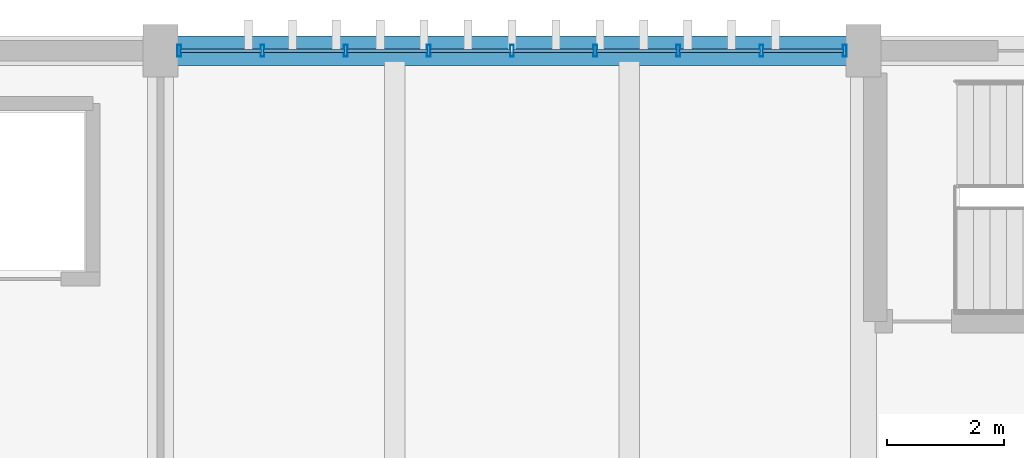
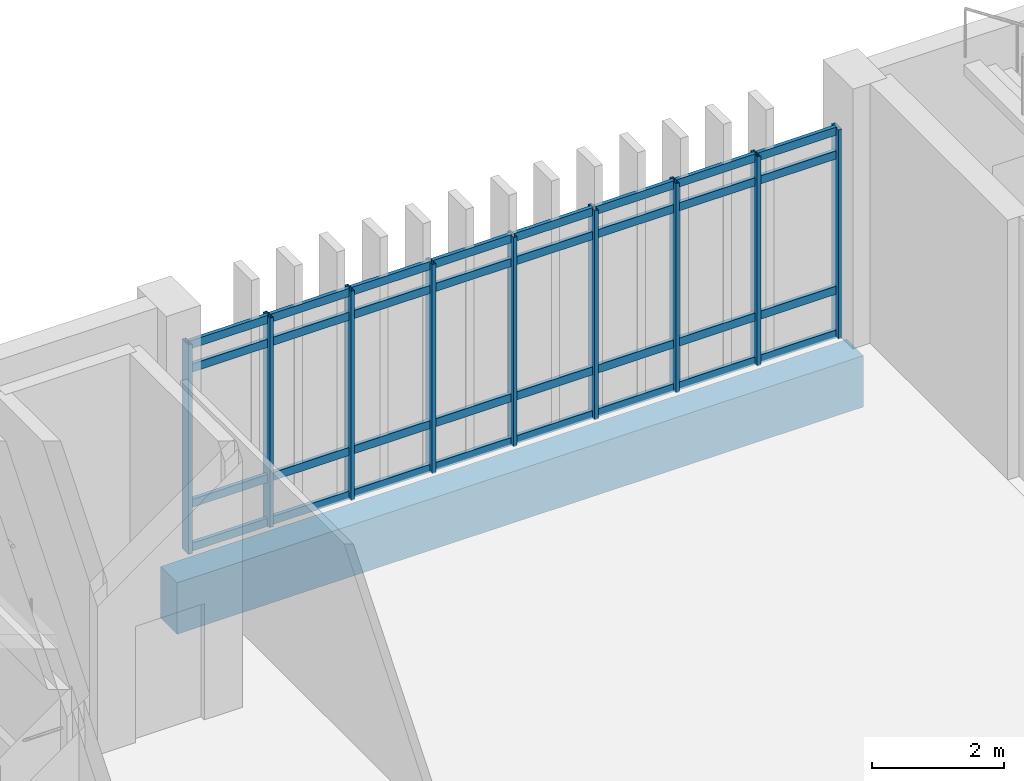
# One storey, part 49 of 87: 41 members, 1 beam, 1 element without a shape of its own.
"""IFC4 building model written with IfcOpenShell, lengths in metres."""

import ifcopenshell
import ifcopenshell.guid

model = None  # the IFC model being written
_history = None  # IfcOwnerHistory: only IFC2X3 demands one
_inside = {}  # id of a spatial element -> (the spatial element, [elements in it])
_under = {}  # id of a project, library or spatial element -> (it, [spatial elements below it])
_declared = {}  # id of a project -> (the project, [libraries it declares])
_typed = {}  # id of a type object -> (the type object, [elements of that type])
_made_of = {}  # id of a material, layer set ... -> (it, [elements and type objects made of it])


def new_model(schema):
    """Start an empty IFC model of exactly this schema.

    Asked for "IFC4X3", IfcOpenShell would pick the latest addendum, in which some entities
    have other attributes; the version numbers below select the first issue.
    IFC2X3 requires an IfcOwnerHistory on every rooted entity: one is made here for all.
    """
    global model, _history
    if schema == "IFC4X3":
        model = ifcopenshell.file(schema_version=(4, 3, 0, 0))
    else:
        model = ifcopenshell.file(schema=schema)
    _inside.clear()
    _under.clear()
    _declared.clear()
    _typed.clear()
    _made_of.clear()
    _history = None
    if model.schema == "IFC2X3":
        org = make("IfcOrganization", Name="unknown")
        user = make(
            "IfcPersonAndOrganization",
            ThePerson=make("IfcPerson", FamilyName="unknown"),
            TheOrganization=org,
        )
        app = make(
            "IfcApplication",
            ApplicationDeveloper=org,
            Version="unknown",
            ApplicationFullName="unknown",
            ApplicationIdentifier="unknown",
        )
        _history = make(
            "IfcOwnerHistory",
            OwningUser=user,
            OwningApplication=app,
            ChangeAction="ADDED",
            CreationDate=0,
        )
    return model


def make(cls, **values):
    """One entity of the class cls with the attributes given. An attribute that is None is left unset."""
    return model.create_entity(
        cls, **{name: value for name, value in values.items() if value is not None}
    )


def rooted(cls, **values):
    """An entity with a GlobalId (a new one), such as an element, a storey or a relation."""
    return make(cls, GlobalId=ifcopenshell.guid.new(), OwnerHistory=_history, **values)


def si_unit(unit_type, name, prefix=None):
    """IfcSIUnit, for example si_unit("LENGTHUNIT", "METRE", prefix="MILLI")."""
    return make("IfcSIUnit", UnitType=unit_type, Prefix=prefix, Name=name)


def assignment(units):
    """IfcUnitAssignment: the units of a project."""
    return None if units is None else make("IfcUnitAssignment", Units=units)


def point(xyz):
    """IfcCartesianPoint."""
    return None if xyz is None else make("IfcCartesianPoint", Coordinates=xyz)


def direction(xyz):
    """IfcDirection."""
    return None if xyz is None else make("IfcDirection", DirectionRatios=xyz)


def frame(location, z_axis=None, x_axis=None):
    """IfcAxis2Placement3D, a coordinate frame: its origin and axes. An axis left out is left unset."""
    return make(
        "IfcAxis2Placement3D",
        Location=point(location),
        Axis=direction(z_axis),
        RefDirection=direction(x_axis),
    )


def frame_2d(location, x_axis=None):
    """IfcAxis2Placement2D, a coordinate frame in the plane: its origin and x axis."""
    return make(
        "IfcAxis2Placement2D", Location=point(location), RefDirection=direction(x_axis)
    )


def origin():
    """The frame at (0, 0, 0) with its axes left unset."""
    return frame((0.0, 0.0, 0.0))


def origin_2d():
    """The frame at (0, 0) in the plane with its x axis left unset."""
    return frame_2d((0.0, 0.0))


def place(relative_to, where):
    """IfcLocalPlacement: puts the frame where relative to a parent placement (None: the world)."""
    return make(
        "IfcLocalPlacement", PlacementRelTo=relative_to, RelativePlacement=where
    )


def context(
    kind, dimensions, precision=None, world=None, true_north=None, identifier=None
):
    """IfcGeometricRepresentationContext, for example the 3D "Model" context."""
    return make(
        "IfcGeometricRepresentationContext",
        ContextIdentifier=identifier,
        ContextType=kind,
        CoordinateSpaceDimension=dimensions,
        Precision=precision,
        WorldCoordinateSystem=world,
        TrueNorth=true_north,
    )


def subcontext(parent, identifier, kind, view, scale=None):
    """IfcGeometricRepresentationSubContext, for example "Body" below "Model"."""
    return make(
        "IfcGeometricRepresentationSubContext",
        ContextIdentifier=identifier,
        ContextType=kind,
        ParentContext=parent,
        TargetScale=scale,
        TargetView=view,
    )


def project(units=None, contexts=None):
    """IfcProject with its units and contexts."""
    return rooted(
        "IfcProject",
        Name="project",
        RepresentationContexts=contexts,
        UnitsInContext=assignment(units),
    )


def spatial(cls, under=None, at=None, **own):
    """A site, building, storey or space (cls), placed at a placement, below another one or the project."""
    s = rooted(cls, ObjectPlacement=at, **own)
    if under is not None:
        _under.setdefault(under.id(), (under, []))[1].append(s)
    return s


def profile(cls, at=None, kind="AREA", **sizes):
    """A parametric profile (cls). Its sizes go by their IFC names, for example OverallWidth=200.0."""
    return make(cls, ProfileType=kind, Position=at, **sizes)


def rectangle(**sizes):
    """IfcRectangleProfileDef."""
    return profile("IfcRectangleProfileDef", **sizes)


def hollow_rectangle(**sizes):
    """IfcRectangleHollowProfileDef."""
    return profile("IfcRectangleHollowProfileDef", **sizes)


def extrude(swept, where, along, depth):
    """IfcExtrudedAreaSolid: the profile swept, set in the frame where, extruded along a direction by depth."""
    return make(
        "IfcExtrudedAreaSolid",
        SweptArea=swept,
        Position=where,
        ExtrudedDirection=direction(along),
        Depth=depth,
    )


def shape(context_of_items, identifier, shape_type, items):
    """IfcShapeRepresentation: the items that make up one representation, for example the "Body"."""
    return make(
        "IfcShapeRepresentation",
        ContextOfItems=context_of_items,
        RepresentationIdentifier=identifier,
        RepresentationType=shape_type,
        Items=items,
    )


def material(Name=None, Category=None):
    """IfcMaterial."""
    return make("IfcMaterial", Name=Name, Category=Category)


def layer(
    of_material, thickness, ventilated=None, Name=None, Category=None, Priority=None
):
    """IfcMaterialLayer: one layer of a wall or slab, of a material (None: an air gap)."""
    return make(
        "IfcMaterialLayer",
        Material=of_material,
        LayerThickness=thickness,
        IsVentilated=ventilated,
        Name=Name,
        Category=Category,
        Priority=Priority,
    )


def layer_set(layers, Name=None):
    """IfcMaterialLayerSet."""
    return make("IfcMaterialLayerSet", MaterialLayers=layers, LayerSetName=Name)


def material_profile(
    of_material, cross_section, Name=None, Category=None, Priority=None
):
    """IfcMaterialProfile: a cross section and its material."""
    return make(
        "IfcMaterialProfile",
        Name=Name,
        Material=of_material,
        Profile=cross_section,
        Priority=Priority,
        Category=Category,
    )


def profile_set(profiles, Name=None, composite=None):
    """IfcMaterialProfileSet."""
    return make(
        "IfcMaterialProfileSet",
        Name=Name,
        MaterialProfiles=profiles,
        CompositeProfile=composite,
    )


def made_of(thing, what):
    """Note that an element or type object is made of a material, layer set ...; save() writes the relation."""
    if what is not None:
        _made_of.setdefault(what.id(), (what, []))[1].append(thing)
    return thing


def type_object(cls, material=None, **own):
    """A type object (cls), such as IfcWallType, which elements share."""
    return made_of(rooted(cls, **own), material)


def element(
    cls,
    number,
    at=None,
    inside=None,
    cuts=None,
    type_object=None,
    material=None,
    context=None,
    identifier="Body",
    shape_type=None,
    held_by="IfcProductDefinitionShape",
    body=None,
    shapes=None,
    **own,
):
    """One element of the class cls, such as IfcWall. Its Tag is "e" and its number.

    at: its placement. inside: the storey or other place that contains it. cuts: it is an
    opening in that element (IfcRelVoidsElement). A single representation is given by context,
    identifier, shape_type and body (its items); several are given by shapes. held_by: the class
    of the entity that holds the representations. save() writes the other relations.
    """
    e = rooted(cls, Tag="e%d" % number, ObjectPlacement=at, **own)
    if body is not None:
        shapes = [shape(context, identifier, shape_type, body)]
    if shapes is not None:
        e.Representation = make(held_by, Representations=shapes)
    if inside is not None:
        _inside.setdefault(inside.id(), (inside, []))[1].append(e)
    if cuts is not None:
        rooted(
            "IfcRelVoidsElement", RelatingBuildingElement=cuts, RelatedOpeningElement=e
        )
    if type_object is not None:
        _typed.setdefault(type_object.id(), (type_object, []))[1].append(e)
    return made_of(e, material)


def aggregate(whole, parts):
    """IfcRelAggregates: a whole, such as a stair, and the parts it consists of."""
    return rooted("IfcRelAggregates", RelatingObject=whole, RelatedObjects=parts)


def save(model, path):
    """Write the relations noted so far, then the file.

    IfcRelAggregates (storeys below a building ...), IfcRelContainedInSpatialStructure (elements
    in a storey), IfcRelDefinesByType, IfcRelAssociatesMaterial and IfcRelDeclares: one each for
    every whole, place, type object, material and project.
    """
    for whole, parts in _under.values():
        aggregate(whole, parts)
    for where, things in _inside.values():
        rooted(
            "IfcRelContainedInSpatialStructure",
            RelatedElements=things,
            RelatingStructure=where,
        )
    for kind, things in _typed.values():
        rooted("IfcRelDefinesByType", RelatedObjects=things, RelatingType=kind)
    for what, things in _made_of.values():
        rooted("IfcRelAssociatesMaterial", RelatedObjects=things, RelatingMaterial=what)
    for by, libraries in _declared.values():
        rooted("IfcRelDeclares", RelatingContext=by, RelatedDefinitions=libraries)
    model.write(path)


model = new_model("IFC4")

# Units and contexts
model_context = context("Model", 3, precision=1e-05, world=origin(), true_north=direction((0.0, 1.0)))
body_context = subcontext(model_context, "Body", "Model", "MODEL_VIEW")
ifc_project = project(units=[si_unit("LENGTHUNIT", "METRE"), si_unit("AREAUNIT", "SQUARE_METRE"), si_unit("VOLUMEUNIT", "CUBIC_METRE"), si_unit("PLANEANGLEUNIT", "RADIAN"), si_unit("MASSUNIT", "GRAM", prefix="KILO")], contexts=[model_context])

# Site, building, storey
site_placement = place(None, origin())
site = spatial("IfcSite", under=ifc_project, at=site_placement, CompositionType="ELEMENT")
building_placement = place(site_placement, origin())
building = spatial("IfcBuilding", under=site, at=building_placement, Name="Mersad Railyard Sports Hall", CompositionType="ELEMENT")
storey_placement = place(building_placement, origin())
storey = spatial("IfcBuildingStorey", under=building, at=storey_placement, Name="L00", CompositionType="ELEMENT", Elevation=0.0)

# Curtain wall, members
ifc_material_1 = material(Name="Aluminium 6063-T6", Category="aluminium")
ifc_layer = layer(ifc_material_1, 0.199951171875)
ifc_layer_set = layer_set([ifc_layer], Name="Aluminium 6063-T6")
curtain_wall_type = type_object("IfcCurtainWallType", Name="ARC-CW-CW28", PredefinedType="USERDEFINED", material=ifc_layer_set)
curtain_wall_placement = place(storey_placement, origin())
curtain_wall = element("IfcCurtainWall", 1, at=curtain_wall_placement, inside=storey, type_object=curtain_wall_type, Name="Curtain wall CW28-0084", ObjectType="CURTAIN WALL", PredefinedType="USERDEFINED")
ifc_material_profile_1 = material_profile(ifc_material_1, hollow_rectangle(XDim=0.06494140625, YDim=0.199951171875, WallThickness=0.0048828125, at=origin_2d()), Name="AL MULLION 65x200x5")
ifc_profile_set_1 = profile_set([ifc_material_profile_1], Name="Aluminium 6063-T6")
member_type_1 = type_object("IfcMemberType", Name="ARC-CW-MUL02", PredefinedType="MULLION", material=ifc_profile_set_1)
member_1_placement = place(storey_placement, frame((79.320068359375, 115.0, -0.02001953125), z_axis=(0.0, 0.0, 1.0), x_axis=(1.0, 0.0, 0.0)))
member_1 = element("IfcMember", 2, at=member_1_placement, type_object=member_type_1, Name="CW28 Mullion 1", PredefinedType="MULLION", context=body_context, shape_type="SweptSolid", body=[
    extrude(hollow_rectangle(XDim=0.06494140625, YDim=0.199951171875, WallThickness=0.0048828125, at=origin_2d()), origin(), (0.0, 0.0, 1.0), 3.8701171875),
])
member_2_placement = place(storey_placement, frame((80.739990234375, 115.0, -0.02001953125), z_axis=(0.0, 0.0, 1.0), x_axis=(1.0, 0.0, 0.0)))
member_2 = element("IfcMember", 3, at=member_2_placement, type_object=member_type_1, Name="CW28 Mullion 2", PredefinedType="MULLION", context=body_context, shape_type="SweptSolid", body=[
    extrude(hollow_rectangle(XDim=0.06494140625, YDim=0.199951171875, WallThickness=0.0048828125, at=origin_2d()), origin(), (0.0, 0.0, 1.0), 3.8701171875),
])
member_3_placement = place(storey_placement, frame((82.159912109375, 115.0, -0.02001953125), z_axis=(0.0, 0.0, 1.0), x_axis=(1.0, 0.0, 0.0)))
member_3 = element("IfcMember", 4, at=member_3_placement, type_object=member_type_1, Name="CW28 Mullion 3", PredefinedType="MULLION", context=body_context, shape_type="SweptSolid", body=[
    extrude(hollow_rectangle(XDim=0.06494140625, YDim=0.199951171875, WallThickness=0.0048828125, at=origin_2d()), origin(), (0.0, 0.0, 1.0), 3.8701171875),
])
member_4_placement = place(storey_placement, frame((83.580078125, 115.0, -0.02001953125), z_axis=(0.0, 0.0, 1.0), x_axis=(1.0, 0.0, 0.0)))
member_4 = element("IfcMember", 5, at=member_4_placement, type_object=member_type_1, Name="CW28 Mullion 4", PredefinedType="MULLION", context=body_context, shape_type="SweptSolid", body=[
    extrude(hollow_rectangle(XDim=0.06494140625, YDim=0.199951171875, WallThickness=0.0048828125, at=origin_2d()), origin(), (0.0, 0.0, 1.0), 3.8701171875),
])
member_5_placement = place(storey_placement, frame((85.0, 115.0, -0.02001953125), z_axis=(0.0, 0.0, 1.0), x_axis=(1.0, 0.0, 0.0)))
member_5 = element("IfcMember", 6, at=member_5_placement, type_object=member_type_1, Name="CW28 Mullion 5", PredefinedType="MULLION", context=body_context, shape_type="SweptSolid", body=[
    extrude(hollow_rectangle(XDim=0.06494140625, YDim=0.199951171875, WallThickness=0.0048828125, at=origin_2d()), origin(), (0.0, 0.0, 1.0), 3.8701171875),
])
member_6_placement = place(storey_placement, frame((86.419921875, 115.0, -0.02001953125), z_axis=(0.0, 0.0, 1.0), x_axis=(1.0, 0.0, 0.0)))
member_6 = element("IfcMember", 7, at=member_6_placement, type_object=member_type_1, Name="CW28 Mullion 6", PredefinedType="MULLION", context=body_context, shape_type="SweptSolid", body=[
    extrude(hollow_rectangle(XDim=0.06494140625, YDim=0.199951171875, WallThickness=0.0048828125, at=origin_2d()), origin(), (0.0, 0.0, 1.0), 3.8701171875),
])
member_7_placement = place(storey_placement, frame((87.840087890625, 115.0, -0.02001953125), z_axis=(0.0, 0.0, 1.0), x_axis=(1.0, 0.0, 0.0)))
member_7 = element("IfcMember", 8, at=member_7_placement, type_object=member_type_1, Name="CW28 Mullion 7", PredefinedType="MULLION", context=body_context, shape_type="SweptSolid", body=[
    extrude(hollow_rectangle(XDim=0.06494140625, YDim=0.199951171875, WallThickness=0.0048828125, at=origin_2d()), origin(), (0.0, 0.0, 1.0), 3.8701171875),
])
member_8_placement = place(storey_placement, frame((89.260009765625, 115.0, -0.02001953125), z_axis=(0.0, 0.0, 1.0), x_axis=(1.0, 0.0, 0.0)))
member_8 = element("IfcMember", 9, at=member_8_placement, type_object=member_type_1, Name="CW28 Mullion 8", PredefinedType="MULLION", context=body_context, shape_type="SweptSolid", body=[
    extrude(hollow_rectangle(XDim=0.06494140625, YDim=0.199951171875, WallThickness=0.0048828125, at=origin_2d()), origin(), (0.0, 0.0, 1.0), 3.8701171875),
])
member_9_placement = place(storey_placement, frame((90.679931640625, 115.0, -0.02001953125), z_axis=(0.0, 0.0, 1.0), x_axis=(1.0, 0.0, 0.0)))
member_9 = element("IfcMember", 10, at=member_9_placement, type_object=member_type_1, Name="CW28 Mullion 9", PredefinedType="MULLION", context=body_context, shape_type="SweptSolid", body=[
    extrude(hollow_rectangle(XDim=0.06494140625, YDim=0.199951171875, WallThickness=0.0048828125, at=origin_2d()), origin(), (0.0, 0.0, 1.0), 3.8701171875),
])
ifc_material_profile_2 = material_profile(ifc_material_1, hollow_rectangle(XDim=0.06494140625, YDim=0.14990234375, WallThickness=0.00439453125, at=origin_2d()), Name="AL TRANSOM 65x150x4.5")
ifc_profile_set_2 = profile_set([ifc_material_profile_2], Name="Aluminium 6063-T6")
member_type_2 = type_object("IfcMemberType", Name="ARC-CW-TRN02", PredefinedType="USERDEFINED", material=ifc_profile_set_2)
member_10_placement = place(storey_placement, frame((79.340087890625, 115.0, 0.0400390625), z_axis=(1.0, 0.0, 0.0), x_axis=(0.0, 1.0, 0.0)))
member_10 = element("IfcMember", 11, at=member_10_placement, type_object=member_type_2, Name="CW28 Transom 1-1", ObjectType="TRANSOM", PredefinedType="USERDEFINED", context=body_context, shape_type="SweptSolid", body=[
    extrude(hollow_rectangle(XDim=0.06494140625, YDim=0.14990234375, WallThickness=0.00439453125, at=origin_2d()), origin(), (0.0, 0.0, 1.0), 1.3798828125),
])
member_11_placement = place(storey_placement, frame((80.760009765625, 115.0, 0.0400390625), z_axis=(1.0, 0.0, 0.0), x_axis=(0.0, 1.0, 0.0)))
member_11 = element("IfcMember", 12, at=member_11_placement, type_object=member_type_2, Name="CW28 Transom 1-2", ObjectType="TRANSOM", PredefinedType="USERDEFINED", context=body_context, shape_type="SweptSolid", body=[
    extrude(hollow_rectangle(XDim=0.06494140625, YDim=0.14990234375, WallThickness=0.00439453125, at=origin_2d()), origin(), (0.0, 0.0, 1.0), 1.3798828125),
])
member_12_placement = place(storey_placement, frame((82.179931640625, 115.0, 0.0400390625), z_axis=(1.0, 0.0, 0.0), x_axis=(0.0, 1.0, 0.0)))
member_12 = element("IfcMember", 13, at=member_12_placement, type_object=member_type_2, Name="CW28 Transom 1-3", ObjectType="TRANSOM", PredefinedType="USERDEFINED", context=body_context, shape_type="SweptSolid", body=[
    extrude(hollow_rectangle(XDim=0.06494140625, YDim=0.14990234375, WallThickness=0.00439453125, at=origin_2d()), origin(), (0.0, 0.0, 1.0), 1.380126953125),
])
member_13_placement = place(storey_placement, frame((83.60009765625, 115.0, 0.0400390625), z_axis=(1.0, 0.0, 0.0), x_axis=(0.0, 1.0, 0.0)))
member_13 = element("IfcMember", 14, at=member_13_placement, type_object=member_type_2, Name="CW28 Transom 1-4", ObjectType="TRANSOM", PredefinedType="USERDEFINED", context=body_context, shape_type="SweptSolid", body=[
    extrude(hollow_rectangle(XDim=0.06494140625, YDim=0.14990234375, WallThickness=0.00439453125, at=origin_2d()), origin(), (0.0, 0.0, 1.0), 1.3798828125),
])
member_14_placement = place(storey_placement, frame((85.02001953125, 115.0, 0.0400390625), z_axis=(1.0, 0.0, 0.0), x_axis=(0.0, 1.0, 0.0)))
member_14 = element("IfcMember", 15, at=member_14_placement, type_object=member_type_2, Name="CW28 Transom 1-5", ObjectType="TRANSOM", PredefinedType="USERDEFINED", context=body_context, shape_type="SweptSolid", body=[
    extrude(hollow_rectangle(XDim=0.06494140625, YDim=0.14990234375, WallThickness=0.00439453125, at=origin_2d()), origin(), (0.0, 0.0, 1.0), 1.3798828125),
])
member_15_placement = place(storey_placement, frame((86.43994140625, 115.0, 0.0400390625), z_axis=(1.0, 0.0, 0.0), x_axis=(0.0, 1.0, 0.0)))
member_15 = element("IfcMember", 16, at=member_15_placement, type_object=member_type_2, Name="CW28 Transom 1-6", ObjectType="TRANSOM", PredefinedType="USERDEFINED", context=body_context, shape_type="SweptSolid", body=[
    extrude(hollow_rectangle(XDim=0.06494140625, YDim=0.14990234375, WallThickness=0.00439453125, at=origin_2d()), origin(), (0.0, 0.0, 1.0), 1.380126953125),
])
member_16_placement = place(storey_placement, frame((87.860107421875, 115.0, 0.0400390625), z_axis=(1.0, 0.0, 0.0), x_axis=(0.0, 1.0, 0.0)))
member_16 = element("IfcMember", 17, at=member_16_placement, type_object=member_type_2, Name="CW28 Transom 1-7", ObjectType="TRANSOM", PredefinedType="USERDEFINED", context=body_context, shape_type="SweptSolid", body=[
    extrude(hollow_rectangle(XDim=0.06494140625, YDim=0.14990234375, WallThickness=0.00439453125, at=origin_2d()), origin(), (0.0, 0.0, 1.0), 1.3798828125),
])
member_17_placement = place(storey_placement, frame((89.280029296875, 115.0, 0.0400390625), z_axis=(1.0, 0.0, 0.0), x_axis=(0.0, 1.0, 0.0)))
member_17 = element("IfcMember", 18, at=member_17_placement, type_object=member_type_2, Name="CW28 Transom 1-8", ObjectType="TRANSOM", PredefinedType="USERDEFINED", context=body_context, shape_type="SweptSolid", body=[
    extrude(hollow_rectangle(XDim=0.06494140625, YDim=0.14990234375, WallThickness=0.00439453125, at=origin_2d()), origin(), (0.0, 0.0, 1.0), 1.3798828125),
])
member_18_placement = place(storey_placement, frame((79.340087890625, 115.0, 0.85009765625), z_axis=(1.0, 0.0, 0.0), x_axis=(0.0, 1.0, 0.0)))
member_18 = element("IfcMember", 19, at=member_18_placement, type_object=member_type_2, Name="CW28 Transom 2-1", ObjectType="TRANSOM", PredefinedType="USERDEFINED", context=body_context, shape_type="SweptSolid", body=[
    extrude(hollow_rectangle(XDim=0.06494140625, YDim=0.14990234375, WallThickness=0.00439453125, at=origin_2d()), origin(), (0.0, 0.0, 1.0), 1.3798828125),
])
member_19_placement = place(storey_placement, frame((80.760009765625, 115.0, 0.85009765625), z_axis=(1.0, 0.0, 0.0), x_axis=(0.0, 1.0, 0.0)))
member_19 = element("IfcMember", 20, at=member_19_placement, type_object=member_type_2, Name="CW28 Transom 2-2", ObjectType="TRANSOM", PredefinedType="USERDEFINED", context=body_context, shape_type="SweptSolid", body=[
    extrude(hollow_rectangle(XDim=0.06494140625, YDim=0.14990234375, WallThickness=0.00439453125, at=origin_2d()), origin(), (0.0, 0.0, 1.0), 1.3798828125),
])
member_20_placement = place(storey_placement, frame((82.179931640625, 115.0, 0.85009765625), z_axis=(1.0, 0.0, 0.0), x_axis=(0.0, 1.0, 0.0)))
member_20 = element("IfcMember", 21, at=member_20_placement, type_object=member_type_2, Name="CW28 Transom 2-3", ObjectType="TRANSOM", PredefinedType="USERDEFINED", context=body_context, shape_type="SweptSolid", body=[
    extrude(hollow_rectangle(XDim=0.06494140625, YDim=0.14990234375, WallThickness=0.00439453125, at=origin_2d()), origin(), (0.0, 0.0, 1.0), 1.380126953125),
])
member_21_placement = place(storey_placement, frame((83.60009765625, 115.0, 0.85009765625), z_axis=(1.0, 0.0, 0.0), x_axis=(0.0, 1.0, 0.0)))
member_21 = element("IfcMember", 22, at=member_21_placement, type_object=member_type_2, Name="CW28 Transom 2-4", ObjectType="TRANSOM", PredefinedType="USERDEFINED", context=body_context, shape_type="SweptSolid", body=[
    extrude(hollow_rectangle(XDim=0.06494140625, YDim=0.14990234375, WallThickness=0.00439453125, at=origin_2d()), origin(), (0.0, 0.0, 1.0), 1.3798828125),
])
member_22_placement = place(storey_placement, frame((85.02001953125, 115.0, 0.85009765625), z_axis=(1.0, 0.0, 0.0), x_axis=(0.0, 1.0, 0.0)))
member_22 = element("IfcMember", 23, at=member_22_placement, type_object=member_type_2, Name="CW28 Transom 2-5", ObjectType="TRANSOM", PredefinedType="USERDEFINED", context=body_context, shape_type="SweptSolid", body=[
    extrude(hollow_rectangle(XDim=0.06494140625, YDim=0.14990234375, WallThickness=0.00439453125, at=origin_2d()), origin(), (0.0, 0.0, 1.0), 1.3798828125),
])
member_23_placement = place(storey_placement, frame((86.43994140625, 115.0, 0.85009765625), z_axis=(1.0, 0.0, 0.0), x_axis=(0.0, 1.0, 0.0)))
member_23 = element("IfcMember", 24, at=member_23_placement, type_object=member_type_2, Name="CW28 Transom 2-6", ObjectType="TRANSOM", PredefinedType="USERDEFINED", context=body_context, shape_type="SweptSolid", body=[
    extrude(hollow_rectangle(XDim=0.06494140625, YDim=0.14990234375, WallThickness=0.00439453125, at=origin_2d()), origin(), (0.0, 0.0, 1.0), 1.380126953125),
])
member_24_placement = place(storey_placement, frame((87.860107421875, 115.0, 0.85009765625), z_axis=(1.0, 0.0, 0.0), x_axis=(0.0, 1.0, 0.0)))
member_24 = element("IfcMember", 25, at=member_24_placement, type_object=member_type_2, Name="CW28 Transom 2-7", ObjectType="TRANSOM", PredefinedType="USERDEFINED", context=body_context, shape_type="SweptSolid", body=[
    extrude(hollow_rectangle(XDim=0.06494140625, YDim=0.14990234375, WallThickness=0.00439453125, at=origin_2d()), origin(), (0.0, 0.0, 1.0), 1.3798828125),
])
member_25_placement = place(storey_placement, frame((89.280029296875, 115.0, 0.85009765625), z_axis=(1.0, 0.0, 0.0), x_axis=(0.0, 1.0, 0.0)))
member_25 = element("IfcMember", 26, at=member_25_placement, type_object=member_type_2, Name="CW28 Transom 2-8", ObjectType="TRANSOM", PredefinedType="USERDEFINED", context=body_context, shape_type="SweptSolid", body=[
    extrude(hollow_rectangle(XDim=0.06494140625, YDim=0.14990234375, WallThickness=0.00439453125, at=origin_2d()), origin(), (0.0, 0.0, 1.0), 1.3798828125),
])
member_26_placement = place(storey_placement, frame((79.340087890625, 115.0, 3.35009765625), z_axis=(1.0, 0.0, 0.0), x_axis=(0.0, 1.0, 0.0)))
member_26 = element("IfcMember", 27, at=member_26_placement, type_object=member_type_2, Name="CW28 Transom 3-1", ObjectType="TRANSOM", PredefinedType="USERDEFINED", context=body_context, shape_type="SweptSolid", body=[
    extrude(hollow_rectangle(XDim=0.06494140625, YDim=0.14990234375, WallThickness=0.00439453125, at=origin_2d()), origin(), (0.0, 0.0, 1.0), 1.3798828125),
])
member_27_placement = place(storey_placement, frame((80.760009765625, 115.0, 3.35009765625), z_axis=(1.0, 0.0, 0.0), x_axis=(0.0, 1.0, 0.0)))
member_27 = element("IfcMember", 28, at=member_27_placement, type_object=member_type_2, Name="CW28 Transom 3-2", ObjectType="TRANSOM", PredefinedType="USERDEFINED", context=body_context, shape_type="SweptSolid", body=[
    extrude(hollow_rectangle(XDim=0.06494140625, YDim=0.14990234375, WallThickness=0.00439453125, at=origin_2d()), origin(), (0.0, 0.0, 1.0), 1.3798828125),
])
member_28_placement = place(storey_placement, frame((82.179931640625, 115.0, 3.35009765625), z_axis=(1.0, 0.0, 0.0), x_axis=(0.0, 1.0, 0.0)))
member_28 = element("IfcMember", 29, at=member_28_placement, type_object=member_type_2, Name="CW28 Transom 3-3", ObjectType="TRANSOM", PredefinedType="USERDEFINED", context=body_context, shape_type="SweptSolid", body=[
    extrude(hollow_rectangle(XDim=0.06494140625, YDim=0.14990234375, WallThickness=0.00439453125, at=origin_2d()), origin(), (0.0, 0.0, 1.0), 1.380126953125),
])
member_29_placement = place(storey_placement, frame((83.60009765625, 115.0, 3.35009765625), z_axis=(1.0, 0.0, 0.0), x_axis=(0.0, 1.0, 0.0)))
member_29 = element("IfcMember", 30, at=member_29_placement, type_object=member_type_2, Name="CW28 Transom 3-4", ObjectType="TRANSOM", PredefinedType="USERDEFINED", context=body_context, shape_type="SweptSolid", body=[
    extrude(hollow_rectangle(XDim=0.06494140625, YDim=0.14990234375, WallThickness=0.00439453125, at=origin_2d()), origin(), (0.0, 0.0, 1.0), 1.3798828125),
])
member_30_placement = place(storey_placement, frame((85.02001953125, 115.0, 3.35009765625), z_axis=(1.0, 0.0, 0.0), x_axis=(0.0, 1.0, 0.0)))
member_30 = element("IfcMember", 31, at=member_30_placement, type_object=member_type_2, Name="CW28 Transom 3-5", ObjectType="TRANSOM", PredefinedType="USERDEFINED", context=body_context, shape_type="SweptSolid", body=[
    extrude(hollow_rectangle(XDim=0.06494140625, YDim=0.14990234375, WallThickness=0.00439453125, at=origin_2d()), origin(), (0.0, 0.0, 1.0), 1.3798828125),
])
member_31_placement = place(storey_placement, frame((86.43994140625, 115.0, 3.35009765625), z_axis=(1.0, 0.0, 0.0), x_axis=(0.0, 1.0, 0.0)))
member_31 = element("IfcMember", 32, at=member_31_placement, type_object=member_type_2, Name="CW28 Transom 3-6", ObjectType="TRANSOM", PredefinedType="USERDEFINED", context=body_context, shape_type="SweptSolid", body=[
    extrude(hollow_rectangle(XDim=0.06494140625, YDim=0.14990234375, WallThickness=0.00439453125, at=origin_2d()), origin(), (0.0, 0.0, 1.0), 1.380126953125),
])
member_32_placement = place(storey_placement, frame((87.860107421875, 115.0, 3.35009765625), z_axis=(1.0, 0.0, 0.0), x_axis=(0.0, 1.0, 0.0)))
member_32 = element("IfcMember", 33, at=member_32_placement, type_object=member_type_2, Name="CW28 Transom 3-7", ObjectType="TRANSOM", PredefinedType="USERDEFINED", context=body_context, shape_type="SweptSolid", body=[
    extrude(hollow_rectangle(XDim=0.06494140625, YDim=0.14990234375, WallThickness=0.00439453125, at=origin_2d()), origin(), (0.0, 0.0, 1.0), 1.3798828125),
])
member_33_placement = place(storey_placement, frame((89.280029296875, 115.0, 3.35009765625), z_axis=(1.0, 0.0, 0.0), x_axis=(0.0, 1.0, 0.0)))
member_33 = element("IfcMember", 34, at=member_33_placement, type_object=member_type_2, Name="CW28 Transom 3-8", ObjectType="TRANSOM", PredefinedType="USERDEFINED", context=body_context, shape_type="SweptSolid", body=[
    extrude(hollow_rectangle(XDim=0.06494140625, YDim=0.14990234375, WallThickness=0.00439453125, at=origin_2d()), origin(), (0.0, 0.0, 1.0), 1.3798828125),
])
member_34_placement = place(storey_placement, frame((79.340087890625, 115.0, 3.7900390625), z_axis=(1.0, 0.0, 0.0), x_axis=(0.0, 1.0, 0.0)))
member_34 = element("IfcMember", 35, at=member_34_placement, type_object=member_type_2, Name="CW28 Transom 4-1", ObjectType="TRANSOM", PredefinedType="USERDEFINED", context=body_context, shape_type="SweptSolid", body=[
    extrude(hollow_rectangle(XDim=0.06494140625, YDim=0.14990234375, WallThickness=0.00439453125, at=origin_2d()), origin(), (0.0, 0.0, 1.0), 1.3798828125),
])
member_35_placement = place(storey_placement, frame((80.760009765625, 115.0, 3.7900390625), z_axis=(1.0, 0.0, 0.0), x_axis=(0.0, 1.0, 0.0)))
member_35 = element("IfcMember", 36, at=member_35_placement, type_object=member_type_2, Name="CW28 Transom 4-2", ObjectType="TRANSOM", PredefinedType="USERDEFINED", context=body_context, shape_type="SweptSolid", body=[
    extrude(hollow_rectangle(XDim=0.06494140625, YDim=0.14990234375, WallThickness=0.00439453125, at=origin_2d()), origin(), (0.0, 0.0, 1.0), 1.3798828125),
])
member_36_placement = place(storey_placement, frame((82.179931640625, 115.0, 3.7900390625), z_axis=(1.0, 0.0, 0.0), x_axis=(0.0, 1.0, 0.0)))
member_36 = element("IfcMember", 37, at=member_36_placement, type_object=member_type_2, Name="CW28 Transom 4-3", ObjectType="TRANSOM", PredefinedType="USERDEFINED", context=body_context, shape_type="SweptSolid", body=[
    extrude(hollow_rectangle(XDim=0.06494140625, YDim=0.14990234375, WallThickness=0.00439453125, at=origin_2d()), origin(), (0.0, 0.0, 1.0), 1.380126953125),
])
member_37_placement = place(storey_placement, frame((83.60009765625, 115.0, 3.7900390625), z_axis=(1.0, 0.0, 0.0), x_axis=(0.0, 1.0, 0.0)))
member_37 = element("IfcMember", 38, at=member_37_placement, type_object=member_type_2, Name="CW28 Transom 4-4", ObjectType="TRANSOM", PredefinedType="USERDEFINED", context=body_context, shape_type="SweptSolid", body=[
    extrude(hollow_rectangle(XDim=0.06494140625, YDim=0.14990234375, WallThickness=0.00439453125, at=origin_2d()), origin(), (0.0, 0.0, 1.0), 1.3798828125),
])
member_38_placement = place(storey_placement, frame((85.02001953125, 115.0, 3.7900390625), z_axis=(1.0, 0.0, 0.0), x_axis=(0.0, 1.0, 0.0)))
member_38 = element("IfcMember", 39, at=member_38_placement, type_object=member_type_2, Name="CW28 Transom 4-5", ObjectType="TRANSOM", PredefinedType="USERDEFINED", context=body_context, shape_type="SweptSolid", body=[
    extrude(hollow_rectangle(XDim=0.06494140625, YDim=0.14990234375, WallThickness=0.00439453125, at=origin_2d()), origin(), (0.0, 0.0, 1.0), 1.3798828125),
])
member_39_placement = place(storey_placement, frame((86.43994140625, 115.0, 3.7900390625), z_axis=(1.0, 0.0, 0.0), x_axis=(0.0, 1.0, 0.0)))
member_39 = element("IfcMember", 40, at=member_39_placement, type_object=member_type_2, Name="CW28 Transom 4-6", ObjectType="TRANSOM", PredefinedType="USERDEFINED", context=body_context, shape_type="SweptSolid", body=[
    extrude(hollow_rectangle(XDim=0.06494140625, YDim=0.14990234375, WallThickness=0.00439453125, at=origin_2d()), origin(), (0.0, 0.0, 1.0), 1.380126953125),
])
member_40_placement = place(storey_placement, frame((87.860107421875, 115.0, 3.7900390625), z_axis=(1.0, 0.0, 0.0), x_axis=(0.0, 1.0, 0.0)))
member_40 = element("IfcMember", 41, at=member_40_placement, type_object=member_type_2, Name="CW28 Transom 4-7", ObjectType="TRANSOM", PredefinedType="USERDEFINED", context=body_context, shape_type="SweptSolid", body=[
    extrude(hollow_rectangle(XDim=0.06494140625, YDim=0.14990234375, WallThickness=0.00439453125, at=origin_2d()), origin(), (0.0, 0.0, 1.0), 1.3798828125),
])
member_41_placement = place(storey_placement, frame((89.280029296875, 115.0, 3.7900390625), z_axis=(1.0, 0.0, 0.0), x_axis=(0.0, 1.0, 0.0)))
member_41 = element("IfcMember", 42, at=member_41_placement, type_object=member_type_2, Name="CW28 Transom 4-8", ObjectType="TRANSOM", PredefinedType="USERDEFINED", context=body_context, shape_type="SweptSolid", body=[
    extrude(hollow_rectangle(XDim=0.06494140625, YDim=0.14990234375, WallThickness=0.00439453125, at=origin_2d()), origin(), (0.0, 0.0, 1.0), 1.3798828125),
])
aggregate(curtain_wall, [member_1, member_2, member_3, member_4, member_5, member_6, member_7, member_8, member_9, member_10, member_11, member_12, member_13, member_14, member_15, member_16, member_17, member_18, member_19, member_20, member_21, member_22, member_23, member_24, member_25, member_26, member_27, member_28, member_29, member_30, member_31, member_32, member_33, member_34, member_35, member_36, member_37, member_38, member_39, member_40, member_41])

# Beam
ifc_material_2 = material(Name="Concrete C50/60", Category="concrete")
ifc_material_profile_3 = material_profile(ifc_material_2, rectangle(XDim=0.5, YDim=0.949951171875, at=origin_2d()), Name="RC 500x950")
ifc_profile_set_3 = profile_set([ifc_material_profile_3], Name="Concrete C50/60")
beam_type = type_object("IfcBeamType", Name="STR-BM-B03", PredefinedType="BEAM", material=ifc_profile_set_3)
beam_placement = place(storey_placement, frame((79.0, 115.0, -0.824951171875), z_axis=(1.0, 0.0, 0.0), x_axis=(0.0, 1.0, 0.0)))
element("IfcBeam", 43, at=beam_placement, inside=storey, type_object=beam_type, Name="Beam B03-0169", PredefinedType="BEAM", context=body_context, shape_type="SweptSolid", body=[
    extrude(rectangle(XDim=0.5, YDim=0.949951171875, at=origin_2d()), origin(), (0.0, 0.0, 1.0), 12.0),
])

save(model, "model.ifc")
